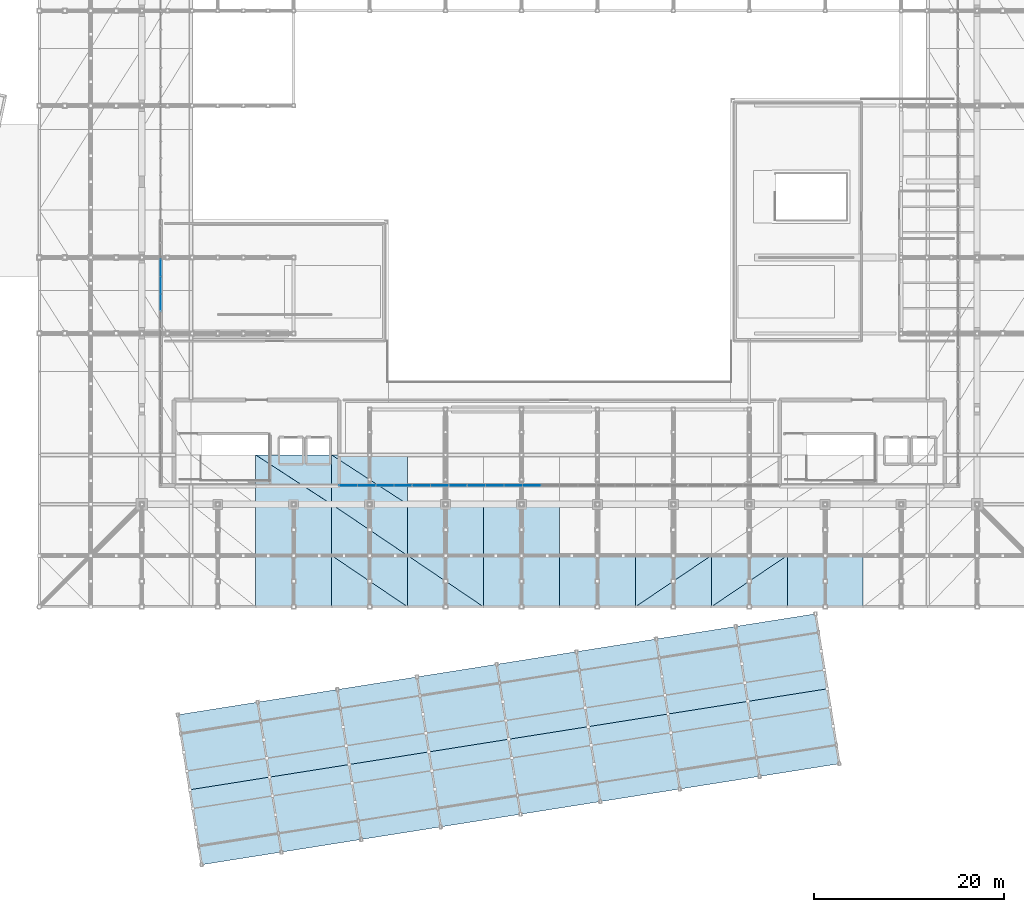
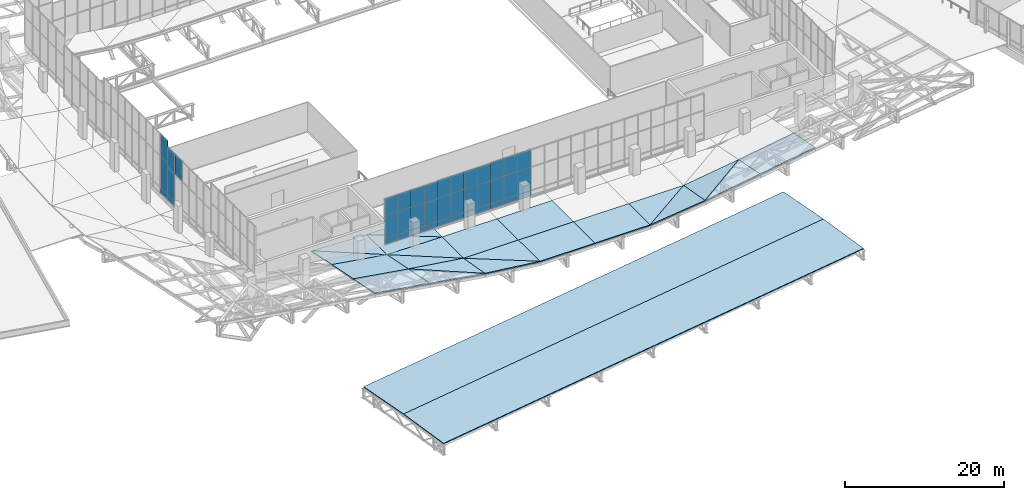
# One storey, part 103 of 137: 40 plates, 23 slabs, 8 elements without a shape of their own.
"""IFC4 building model written with IfcOpenShell, lengths in metres."""

from ifc_helpers import new_model, si_unit, direction, frame, origin, origin_2d, place, context, subcontext, project, spatial, polyline, rectangle, outline, extrude, material, layer, layer_set, type_object, element, aggregate, save


model = new_model("IFC4")

# Units and contexts
model_context = context("Model", 3, precision=1e-05, world=origin(), true_north=direction((0.0, 1.0)))
body_context = subcontext(model_context, "Body", "Model", "MODEL_VIEW")
ifc_project = project(units=[si_unit("LENGTHUNIT", "METRE"), si_unit("AREAUNIT", "SQUARE_METRE"), si_unit("VOLUMEUNIT", "CUBIC_METRE"), si_unit("PLANEANGLEUNIT", "RADIAN"), si_unit("MASSUNIT", "GRAM", prefix="KILO")], contexts=[model_context])

# Site, building, storey
site_placement = place(None, origin())
site = spatial("IfcSite", under=ifc_project, at=site_placement, CompositionType="ELEMENT")
building_placement = place(site_placement, origin())
building = spatial("IfcBuilding", under=site, at=building_placement, Name="Khorjan Park Terminus", CompositionType="ELEMENT")
storey_placement = place(building_placement, frame((0.0, 0.0, 11.4)))
storey = spatial("IfcBuildingStorey", under=building, at=storey_placement, Name="L02", CompositionType="ELEMENT", Elevation=11.4)

# Curtain wall, plates
ifc_material_1 = material(Name="Anodized Bronze Aluminium", Category="aluminium")
ifc_layer_1 = layer(ifc_material_1, 0.22)
ifc_layer_set_1 = layer_set([ifc_layer_1], Name="Anodized Bronze Aluminium")
curtain_wall_type = type_object("IfcCurtainWallType", Name="CW-CONC-CLR", PredefinedType="NOTDEFINED", material=ifc_layer_set_1)
curtain_wall_1_placement = place(storey_placement, origin())
curtain_wall_1 = element("IfcCurtainWall", 1, at=curtain_wall_1_placement, inside=storey, type_object=curtain_wall_type, Name="Unitized curtain wall CW-CL (CW-V2-S-CLR-02)", PredefinedType="NOTDEFINED")
ifc_material_2 = material(Name="Acoustic Laminated Solar Glazing", Category="glass")
ifc_layer_2 = layer(ifc_material_2, 0.036)
ifc_layer_set_2 = layer_set([ifc_layer_2], Name="Acoustic Laminated Solar Glazing")
plate_type_1 = type_object("IfcPlateType", Name="GL-VIS-36", PredefinedType="CURTAIN_PANEL", material=ifc_layer_set_2)
plate_1_placement = place(storey_placement, frame((69.7625, 28.0, 1.8), z_axis=(0.0, 0.0, 1.0), x_axis=(1.0, 0.0, 0.0)))
plate_1 = element("IfcPlate", 2, at=plate_1_placement, type_object=plate_type_1, Name="Curtain-wall panel VP-36 (CW-V2-S-CLR-02-0-2)", PredefinedType="CURTAIN_PANEL", context=body_context, shape_type="SweptSolid", body=[
    extrude(rectangle(XDim=1.925, YDim=0.036, at=origin_2d()), origin(), (0.0, 0.0, 1.0), 3.491),
])
plate_2_placement = place(storey_placement, frame((69.7625, 28.0, 5.291), z_axis=(0.0, 0.0, 1.0), x_axis=(1.0, 0.0, 0.0)))
plate_2 = element("IfcPlate", 3, at=plate_2_placement, type_object=plate_type_1, Name="Curtain-wall panel VP-36 (CW-V2-S-CLR-02-0-3)", PredefinedType="CURTAIN_PANEL", context=body_context, shape_type="SweptSolid", body=[
    extrude(rectangle(XDim=1.925, YDim=0.036, at=origin_2d()), origin(), (0.0, 0.0, 1.0), 2.6706),
])
plate_3_placement = place(storey_placement, frame((71.6875, 28.0, 1.8), z_axis=(0.0, 0.0, 1.0), x_axis=(1.0, 0.0, 0.0)))
plate_3 = element("IfcPlate", 4, at=plate_3_placement, type_object=plate_type_1, Name="Curtain-wall panel VP-36 (CW-V2-S-CLR-02-1-2)", PredefinedType="CURTAIN_PANEL", context=body_context, shape_type="SweptSolid", body=[
    extrude(rectangle(XDim=1.925, YDim=0.036, at=origin_2d()), origin(), (0.0, 0.0, 1.0), 3.491),
])
plate_4_placement = place(storey_placement, frame((71.6875, 28.0, 5.291), z_axis=(0.0, 0.0, 1.0), x_axis=(1.0, 0.0, 0.0)))
plate_4 = element("IfcPlate", 5, at=plate_4_placement, type_object=plate_type_1, Name="Curtain-wall panel VP-36 (CW-V2-S-CLR-02-1-3)", PredefinedType="CURTAIN_PANEL", context=body_context, shape_type="SweptSolid", body=[
    extrude(rectangle(XDim=1.925, YDim=0.036, at=origin_2d()), origin(), (0.0, 0.0, 1.0), 2.6706),
])
plate_5_placement = place(storey_placement, frame((73.6125, 28.0, 1.8), z_axis=(0.0, 0.0, 1.0), x_axis=(1.0, 0.0, 0.0)))
plate_5 = element("IfcPlate", 6, at=plate_5_placement, type_object=plate_type_1, Name="Curtain-wall panel VP-36 (CW-V2-S-CLR-02-2-2)", PredefinedType="CURTAIN_PANEL", context=body_context, shape_type="SweptSolid", body=[
    extrude(rectangle(XDim=1.925, YDim=0.036, at=origin_2d()), origin(), (0.0, 0.0, 1.0), 3.491),
])
plate_6_placement = place(storey_placement, frame((73.6125, 28.0, 5.291), z_axis=(0.0, 0.0, 1.0), x_axis=(1.0, 0.0, 0.0)))
plate_6 = element("IfcPlate", 7, at=plate_6_placement, type_object=plate_type_1, Name="Curtain-wall panel VP-36 (CW-V2-S-CLR-02-2-3)", PredefinedType="CURTAIN_PANEL", context=body_context, shape_type="SweptSolid", body=[
    extrude(rectangle(XDim=1.925, YDim=0.036, at=origin_2d()), origin(), (0.0, 0.0, 1.0), 2.6706),
])
plate_7_placement = place(storey_placement, frame((75.5375, 28.0, 1.8), z_axis=(0.0, 0.0, 1.0), x_axis=(1.0, 0.0, 0.0)))
plate_7 = element("IfcPlate", 8, at=plate_7_placement, type_object=plate_type_1, Name="Curtain-wall panel VP-36 (CW-V2-S-CLR-02-3-2)", PredefinedType="CURTAIN_PANEL", context=body_context, shape_type="SweptSolid", body=[
    extrude(rectangle(XDim=1.925, YDim=0.036, at=origin_2d()), origin(), (0.0, 0.0, 1.0), 3.491),
])
plate_8_placement = place(storey_placement, frame((75.5375, 28.0, 5.291), z_axis=(0.0, 0.0, 1.0), x_axis=(1.0, 0.0, 0.0)))
plate_8 = element("IfcPlate", 9, at=plate_8_placement, type_object=plate_type_1, Name="Curtain-wall panel VP-36 (CW-V2-S-CLR-02-3-3)", PredefinedType="CURTAIN_PANEL", context=body_context, shape_type="SweptSolid", body=[
    extrude(rectangle(XDim=1.925, YDim=0.036, at=origin_2d()), origin(), (0.0, 0.0, 1.0), 2.6706),
])

curtain_wall_2_placement = place(storey_placement, origin())
curtain_wall_2 = element("IfcCurtainWall", 10, at=curtain_wall_2_placement, inside=storey, type_object=curtain_wall_type, Name="Unitized curtain wall CW-CL (CW-V2-S-CLR-03)", PredefinedType="NOTDEFINED")
plate_9_placement = place(storey_placement, frame((77.4625, 28.0, 1.8), z_axis=(0.0, 0.0, 1.0), x_axis=(1.0, 0.0, 0.0)))
plate_9 = element("IfcPlate", 11, at=plate_9_placement, type_object=plate_type_1, Name="Curtain-wall panel VP-36 (CW-V2-S-CLR-03-0-2)", PredefinedType="CURTAIN_PANEL", context=body_context, shape_type="SweptSolid", body=[
    extrude(rectangle(XDim=1.925, YDim=0.036, at=origin_2d()), origin(), (0.0, 0.0, 1.0), 3.5354),
])
plate_10_placement = place(storey_placement, frame((77.4625, 28.0, 5.3354), z_axis=(0.0, 0.0, 1.0), x_axis=(1.0, 0.0, 0.0)))
plate_10 = element("IfcPlate", 12, at=plate_10_placement, type_object=plate_type_1, Name="Curtain-wall panel VP-36 (CW-V2-S-CLR-03-0-3)", PredefinedType="CURTAIN_PANEL", context=body_context, shape_type="SweptSolid", body=[
    extrude(rectangle(XDim=1.925, YDim=0.036, at=origin_2d()), origin(), (0.0, 0.0, 1.0), 2.6978),
])
plate_11_placement = place(storey_placement, frame((79.3875, 28.0, 1.8), z_axis=(0.0, 0.0, 1.0), x_axis=(1.0, 0.0, 0.0)))
plate_11 = element("IfcPlate", 13, at=plate_11_placement, type_object=plate_type_1, Name="Curtain-wall panel VP-36 (CW-V2-S-CLR-03-1-2)", PredefinedType="CURTAIN_PANEL", context=body_context, shape_type="SweptSolid", body=[
    extrude(rectangle(XDim=1.925, YDim=0.036, at=origin_2d()), origin(), (0.0, 0.0, 1.0), 3.5354),
])
plate_12_placement = place(storey_placement, frame((79.3875, 28.0, 5.3354), z_axis=(0.0, 0.0, 1.0), x_axis=(1.0, 0.0, 0.0)))
plate_12 = element("IfcPlate", 14, at=plate_12_placement, type_object=plate_type_1, Name="Curtain-wall panel VP-36 (CW-V2-S-CLR-03-1-3)", PredefinedType="CURTAIN_PANEL", context=body_context, shape_type="SweptSolid", body=[
    extrude(rectangle(XDim=1.925, YDim=0.036, at=origin_2d()), origin(), (0.0, 0.0, 1.0), 2.6978),
])
plate_13_placement = place(storey_placement, frame((81.3125, 28.0, 1.8), z_axis=(0.0, 0.0, 1.0), x_axis=(1.0, 0.0, 0.0)))
plate_13 = element("IfcPlate", 15, at=plate_13_placement, type_object=plate_type_1, Name="Curtain-wall panel VP-36 (CW-V2-S-CLR-03-2-2)", PredefinedType="CURTAIN_PANEL", context=body_context, shape_type="SweptSolid", body=[
    extrude(rectangle(XDim=1.925, YDim=0.036, at=origin_2d()), origin(), (0.0, 0.0, 1.0), 3.5354),
])
plate_14_placement = place(storey_placement, frame((81.3125, 28.0, 5.3354), z_axis=(0.0, 0.0, 1.0), x_axis=(1.0, 0.0, 0.0)))
plate_14 = element("IfcPlate", 16, at=plate_14_placement, type_object=plate_type_1, Name="Curtain-wall panel VP-36 (CW-V2-S-CLR-03-2-3)", PredefinedType="CURTAIN_PANEL", context=body_context, shape_type="SweptSolid", body=[
    extrude(rectangle(XDim=1.925, YDim=0.036, at=origin_2d()), origin(), (0.0, 0.0, 1.0), 2.6978),
])
plate_15_placement = place(storey_placement, frame((83.2375, 28.0, 1.8), z_axis=(0.0, 0.0, 1.0), x_axis=(1.0, 0.0, 0.0)))
plate_15 = element("IfcPlate", 17, at=plate_15_placement, type_object=plate_type_1, Name="Curtain-wall panel VP-36 (CW-V2-S-CLR-03-3-2)", PredefinedType="CURTAIN_PANEL", context=body_context, shape_type="SweptSolid", body=[
    extrude(rectangle(XDim=1.925, YDim=0.036, at=origin_2d()), origin(), (0.0, 0.0, 1.0), 3.5354),
])
plate_16_placement = place(storey_placement, frame((83.2375, 28.0, 5.3354), z_axis=(0.0, 0.0, 1.0), x_axis=(1.0, 0.0, 0.0)))
plate_16 = element("IfcPlate", 18, at=plate_16_placement, type_object=plate_type_1, Name="Curtain-wall panel VP-36 (CW-V2-S-CLR-03-3-3)", PredefinedType="CURTAIN_PANEL", context=body_context, shape_type="SweptSolid", body=[
    extrude(rectangle(XDim=1.925, YDim=0.036, at=origin_2d()), origin(), (0.0, 0.0, 1.0), 2.6978),
])

curtain_wall_3_placement = place(storey_placement, origin())
curtain_wall_3 = element("IfcCurtainWall", 19, at=curtain_wall_3_placement, inside=storey, type_object=curtain_wall_type, Name="Unitized curtain wall CW-CL (CW-V2-S-CLR-04)", PredefinedType="NOTDEFINED")
plate_17_placement = place(storey_placement, frame((85.175, 28.0, 1.7999), z_axis=(0.0, 0.0, 1.0), x_axis=(1.0, 0.0, 0.0)))
plate_17 = element("IfcPlate", 20, at=plate_17_placement, type_object=plate_type_1, Name="Curtain-wall panel VP-36 (CW-V2-S-CLR-04-0-2)", PredefinedType="CURTAIN_PANEL", context=body_context, shape_type="SweptSolid", body=[
    extrude(rectangle(XDim=1.95, YDim=0.036, at=origin_2d()), origin(), (0.0, 0.0, 1.0), 3.5839),
])
plate_18_placement = place(storey_placement, frame((85.175, 28.0, 5.3839), z_axis=(0.0, 0.0, 1.0), x_axis=(1.0, 0.0, 0.0)))
plate_18 = element("IfcPlate", 21, at=plate_18_placement, type_object=plate_type_1, Name="Curtain-wall panel VP-36 (CW-V2-S-CLR-04-0-3)", PredefinedType="CURTAIN_PANEL", context=body_context, shape_type="SweptSolid", body=[
    extrude(rectangle(XDim=1.95, YDim=0.036, at=origin_2d()), origin(), (0.0, 0.0, 1.0), 2.7276),
])
plate_19_placement = place(storey_placement, frame((87.125, 28.0, 1.7999), z_axis=(0.0, 0.0, 1.0), x_axis=(1.0, 0.0, 0.0)))
plate_19 = element("IfcPlate", 22, at=plate_19_placement, type_object=plate_type_1, Name="Curtain-wall panel VP-36 (CW-V2-S-CLR-04-1-2)", PredefinedType="CURTAIN_PANEL", context=body_context, shape_type="SweptSolid", body=[
    extrude(rectangle(XDim=1.95, YDim=0.036, at=origin_2d()), origin(), (0.0, 0.0, 1.0), 3.5839),
])
plate_20_placement = place(storey_placement, frame((87.125, 28.0, 5.3839), z_axis=(0.0, 0.0, 1.0), x_axis=(1.0, 0.0, 0.0)))
plate_20 = element("IfcPlate", 23, at=plate_20_placement, type_object=plate_type_1, Name="Curtain-wall panel VP-36 (CW-V2-S-CLR-04-1-3)", PredefinedType="CURTAIN_PANEL", context=body_context, shape_type="SweptSolid", body=[
    extrude(rectangle(XDim=1.95, YDim=0.036, at=origin_2d()), origin(), (0.0, 0.0, 1.0), 2.7276),
])
plate_21_placement = place(storey_placement, frame((89.075, 28.0, 1.7999), z_axis=(0.0, 0.0, 1.0), x_axis=(1.0, 0.0, 0.0)))
plate_21 = element("IfcPlate", 24, at=plate_21_placement, type_object=plate_type_1, Name="Curtain-wall panel VP-36 (CW-V2-S-CLR-04-2-2)", PredefinedType="CURTAIN_PANEL", context=body_context, shape_type="SweptSolid", body=[
    extrude(rectangle(XDim=1.95, YDim=0.036, at=origin_2d()), origin(), (0.0, 0.0, 1.0), 3.5839),
])
plate_22_placement = place(storey_placement, frame((89.075, 28.0, 5.3839), z_axis=(0.0, 0.0, 1.0), x_axis=(1.0, 0.0, 0.0)))
plate_22 = element("IfcPlate", 25, at=plate_22_placement, type_object=plate_type_1, Name="Curtain-wall panel VP-36 (CW-V2-S-CLR-04-2-3)", PredefinedType="CURTAIN_PANEL", context=body_context, shape_type="SweptSolid", body=[
    extrude(rectangle(XDim=1.95, YDim=0.036, at=origin_2d()), origin(), (0.0, 0.0, 1.0), 2.7276),
])

curtain_wall_4_placement = place(storey_placement, origin())
curtain_wall_4 = element("IfcCurtainWall", 26, at=curtain_wall_4_placement, inside=storey, type_object=curtain_wall_type, Name="Unitized curtain wall CW-CL (CW-V2-W-CLR-02)", PredefinedType="NOTDEFINED")
plate_23_placement = place(storey_placement, frame((50.0, 49.0833, 1.8), z_axis=(0.0, 0.0, 1.0), x_axis=(0.0, -1.0, 0.0)))
plate_23 = element("IfcPlate", 27, at=plate_23_placement, type_object=plate_type_1, Name="Curtain-wall panel VP-36 (CW-V2-W-CLR-02-0-2)", PredefinedType="CURTAIN_PANEL", context=body_context, shape_type="SweptSolid", body=[
    extrude(rectangle(XDim=1.8333, YDim=0.036, at=origin_2d()), origin(), (0.0, 0.0, 1.0), 4.2512),
])
plate_24_placement = place(storey_placement, frame((50.0, 49.0833, 6.0512), z_axis=(0.0, 0.0, 1.0), x_axis=(0.0, -1.0, 0.0)))
plate_24 = element("IfcPlate", 28, at=plate_24_placement, type_object=plate_type_1, Name="Curtain-wall panel VP-36 (CW-V2-W-CLR-02-0-3)", PredefinedType="CURTAIN_PANEL", context=body_context, shape_type="SweptSolid", body=[
    extrude(rectangle(XDim=1.8333, YDim=0.036, at=origin_2d()), origin(), (0.0, 0.0, 1.0), 3.1366),
])
plate_25_placement = place(storey_placement, frame((50.0, 47.25, 6.0512), z_axis=(0.0, 0.0, 1.0), x_axis=(0.0, -1.0, 0.0)))
plate_25 = element("IfcPlate", 29, at=plate_25_placement, type_object=plate_type_1, Name="Curtain-wall panel VP-36 (CW-V2-W-CLR-02-1-3)", PredefinedType="CURTAIN_PANEL", context=body_context, shape_type="SweptSolid", body=[
    extrude(rectangle(XDim=1.8333, YDim=0.036, at=origin_2d()), origin(), (0.0, 0.0, 1.0), 3.1366),
])

curtain_wall_5_placement = place(storey_placement, origin())
curtain_wall_5 = element("IfcCurtainWall", 30, at=curtain_wall_5_placement, inside=storey, type_object=curtain_wall_type, Name="Unitized curtain wall CW-CL (CW-V2-W-CLR-03)", PredefinedType="NOTDEFINED")
plate_26_placement = place(storey_placement, frame((50.0, 50.8889, 1.8), z_axis=(0.0, 0.0, 1.0), x_axis=(0.0, -1.0, 0.0)))
plate_26 = element("IfcPlate", 31, at=plate_26_placement, type_object=plate_type_1, Name="Curtain-wall panel VP-36 (CW-V2-W-CLR-03-8-2)", PredefinedType="CURTAIN_PANEL", context=body_context, shape_type="SweptSolid", body=[
    extrude(rectangle(XDim=1.7778, YDim=0.036, at=origin_2d()), origin(), (0.0, 0.0, 1.0), 4.848),
])
plate_27_placement = place(storey_placement, frame((50.0, 50.8889, 6.648), z_axis=(0.0, 0.0, 1.0), x_axis=(0.0, -1.0, 0.0)))
plate_27 = element("IfcPlate", 32, at=plate_27_placement, type_object=plate_type_1, Name="Curtain-wall panel VP-36 (CW-V2-W-CLR-03-8-3)", PredefinedType="CURTAIN_PANEL", context=body_context, shape_type="SweptSolid", body=[
    extrude(rectangle(XDim=1.7778, YDim=0.036, at=origin_2d()), origin(), (0.0, 0.0, 1.0), 3.5024),
])

# Roof, slabs
ifc_material_3 = material(Name="Concrete C40/50", Category="concrete")
ifc_layer_3 = layer(ifc_material_3, 0.16)
ifc_layer_set_3 = layer_set([ifc_layer_3], Name="Concrete C40/50")
roof_type_1 = type_object("IfcRoofType", Name="RF-FLAT-SIDE", PredefinedType="FLAT_ROOF", material=ifc_layer_set_3)
roof_1_placement = place(storey_placement, origin())
roof_1 = element("IfcRoof", 33, at=roof_1_placement, inside=storey, type_object=roof_type_1, Name="Forecourt arrival flat space-truss canopy roof RF-SD1", PredefinedType="FLAT_ROOF")
ifc_layer_4 = layer(ifc_material_3, 0.14)
ifc_layer_set_4 = layer_set([ifc_layer_4], Name="Concrete C40/50")
slab_type_1 = type_object("IfcSlabType", Name="SL-ROOF-140", PredefinedType="ROOF", material=ifc_layer_set_4)
slab_1_placement = place(storey_placement, frame((54.3129, -11.9754, -0.32), z_axis=(0.00312808136, -0.019749821648, 0.999800059838), x_axis=(0.987688209918, 0.156435290099, 0.0)))
slab_1 = element("IfcSlab", 34, at=slab_1_placement, type_object=slab_type_1, Name="Arrival canopy crisp flat roof slab RS-14 (S)", PredefinedType="ROOF", context=body_context, shape_type="SweptSolid", body=[
    extrude(outline(polyline([(0.0, 0.0), (68.00000174705882, -1.7763568394002505e-15), (67.99998339705927, 8.001596996829024), (-1.8349999528321642e-05, 8.001596996829026), (0.0, 0.0)])), origin(), (0.0, 0.0, -1.0), 0.14),
])
slab_2_placement = place(storey_placement, frame((53.0614, -4.0739, -0.16), z_axis=(-0.00312808136, 0.019749821648, 0.999800059838), x_axis=(0.987688209918, 0.156435290099, 0.0)))
slab_2 = element("IfcSlab", 35, at=slab_2_placement, type_object=slab_type_1, Name="Arrival canopy crisp flat roof slab RS-14 (N)", PredefinedType="ROOF", context=body_context, shape_type="SweptSolid", body=[
    extrude(outline(polyline([(0.0, 0.0), (68.00000174705882, -1.7763568394002505e-15), (67.99998339705928, 8.00159699682902), (-1.834999952854785e-05, 8.001596996829026), (0.0, 0.0)])), origin(), (0.0, 0.0, -1.0), 0.14),
])
aggregate(roof_1, [slab_1, slab_2])

ifc_material_4 = material(Name="Concrete C50/60", Category="concrete")
ifc_layer_5 = layer(ifc_material_4, 0.16)
ifc_layer_set_5 = layer_set([ifc_layer_5], Name="Concrete C50/60")
roof_type_2 = type_object("IfcRoofType", Name="RF-SHELL-LOWER", PredefinedType="FREEFORM", material=ifc_layer_set_5)
roof_2_placement = place(storey_placement, origin())
roof_2 = element("IfcRoof", 36, at=roof_2_placement, inside=storey, type_object=roof_type_2, Name="Lower 4-sided wrapping folded concrete shell roof RF-CS2 (2)", PredefinedType="FREEFORM")
ifc_layer_6 = layer(ifc_material_4, 0.16)
ifc_layer_set_6 = layer_set([ifc_layer_6], Name="Concrete C50/60")
slab_type_2 = type_object("IfcSlabType", Name="SL-SHL-160", PredefinedType="ROOF", material=ifc_layer_set_6)
slab_3_placement = place(storey_placement, frame((60.0, 15.2, 4.3059), z_axis=(0.155240628983, 0.194255938796, 0.96858916851), x_axis=(0.987398235344, 0.0, -0.15825525217)))
slab_3 = element("IfcSlab", 37, at=slab_3_placement, type_object=slab_type_2, Name="Lower 4-sided wrapping folded concrete shell facet RS-16 (69)", PredefinedType="ROOF", context=body_context, shape_type="SweptSolid", body=[
    extrude(outline(polyline([(0.0, 0.0), (8.102100767085041, 0.0), (8.27349120518491, 5.504862788274378), (0.17139043809987023, 5.504862788274378), (0.0, 0.0)])), origin(), (0.0, 0.0, -1.0), 0.16),
])
slab_4_placement = place(storey_placement, frame((60.0, 20.6, 3.2229), z_axis=(0.155240628983, 0.194255938796, 0.96858916851), x_axis=(0.987398235344, 0.0, -0.15825525217)))
slab_4 = element("IfcSlab", 38, at=slab_4_placement, type_object=slab_type_2, Name="Lower 4-sided wrapping folded concrete shell facet RS-16 (70)", PredefinedType="ROOF", context=body_context, shape_type="SweptSolid", body=[
    extrude(outline(polyline([(0.0, 0.0), (8.102100767085041, 0.0), (8.27349120518491, 5.504862788274375), (0.17139043809987023, 5.504862788274375), (0.0, 0.0)])), origin(), (0.0, 0.0, -1.0), 0.16),
])
slab_5_placement = place(storey_placement, frame((60.0, 26.0, 2.1399), z_axis=(0.15524056657, 0.194257930331, 0.968588779098), x_axis=(0.987398235344, 0.0, -0.15825525217)))
slab_5 = element("IfcSlab", 39, at=slab_5_placement, type_object=slab_type_2, Name="Lower 4-sided wrapping folded concrete shell facet RS-16 (71)", PredefinedType="ROOF", context=body_context, shape_type="SweptSolid", body=[
    extrude(outline(polyline([(0.0, 0.0), (8.102100767085041, 0.0), (0.165044402487862, 5.300981112511854), (0.0, 0.0)])), origin(), (0.0, 0.0, -1.0), 0.16),
])
slab_6_placement = place(storey_placement, frame((68.0, 26.0, 0.8577), z_axis=(0.039589515723, 0.014928926822, 0.999104497732), x_axis=(0.0, 0.999888382411, -0.014940639868)))
slab_6 = element("IfcSlab", 40, at=slab_6_placement, type_object=slab_type_2, Name="Lower 4-sided wrapping folded concrete shell facet RS-16 (72)", PredefinedType="ROOF", context=body_context, shape_type="SweptSolid", body=[
    extrude(outline(polyline([(0.0, 0.0), (5.200580476254549, -4.336808689942018e-19), (5.1958442934164095, 8.006276698226968), (0.0, 0.0)])), origin(), (0.0, 0.0, -1.0), 0.16),
])
slab_7_placement = place(storey_placement, frame((68.0, 15.2, 3.0237), z_axis=(0.155228813368, 0.194256303897, 0.968590988961), x_axis=(0.987400163922, 0.0, -0.158243218771)))
slab_7 = element("IfcSlab", 41, at=slab_7_placement, type_object=slab_type_2, Name="Lower 4-sided wrapping folded concrete shell facet RS-16 (77)", PredefinedType="ROOF", context=body_context, shape_type="SweptSolid", body=[
    extrude(outline(polyline([(0.0, 0.0), (8.102084942161493, -2.7755575615628914e-17), (0.17137740592850031, 5.50486319400739), (0.0, 0.0)])), origin(), (0.0, 0.0, -1.0), 0.16),
])
slab_8_placement = place(storey_placement, frame((76.0, 15.2, 1.7416), z_axis=(0.141405126056, 0.173554488786, 0.974619633368), x_axis=(0.0, 0.98451219689, -0.175316097876)))
slab_8 = element("IfcSlab", 42, at=slab_8_placement, type_object=slab_type_2, Name="Lower 4-sided wrapping folded concrete shell facet RS-16 (78)", PredefinedType="ROOF", context=body_context, shape_type="SweptSolid", body=[
    extrude(outline(polyline([(0.0, 0.0), (5.4849498229245475, 0.0), (5.281460428120041, 8.08120143024551), (0.0, 0.0)])), origin(), (0.0, 0.0, -1.0), 0.16),
])
slab_9_placement = place(storey_placement, frame((68.0, 20.6, 1.9407), z_axis=(0.140836900099, 0.19467991896, 0.97070319703), x_axis=(0.989638115901, 0.0, -0.143584120141)))
slab_9 = element("IfcSlab", 43, at=slab_9_placement, type_object=slab_type_2, Name="Lower 4-sided wrapping folded concrete shell facet RS-16 (79)", PredefinedType="ROOF", context=body_context, shape_type="SweptSolid", body=[
    extrude(outline(polyline([(0.0, 0.0), (8.083763015452643, -2.7755575615628914e-17), (0.15550160211241842, 5.505334526778592), (0.0, 0.0)])), origin(), (0.0, 0.0, -1.0), 0.16),
])
slab_10_placement = place(storey_placement, frame((76.0, 20.6, 0.78), z_axis=(0.009712041929, 0.0, 0.999952837009), x_axis=(0.0, 1.0, 0.0)))
slab_10 = element("IfcSlab", 44, at=slab_10_placement, type_object=slab_type_2, Name="Lower 4-sided wrapping folded concrete shell facet RS-16 (80)", PredefinedType="ROOF", context=body_context, shape_type="SweptSolid", body=[
    extrude(outline(polyline([(0.0, 0.0), (5.399999999999999, 0.0), (5.399999999999999, 8.00037732172677), (0.0, 0.0)])), origin(), (0.0, 0.0, -1.0), 0.16),
])
slab_11_placement = place(storey_placement, frame((68.0, 26.0, 0.8577), z_axis=(0.009710957997, 0.01493993538, 0.99984123521), x_axis=(0.999952837009, 0.0, -0.009712041929)))
slab_11 = element("IfcSlab", 45, at=slab_11_placement, type_object=slab_type_2, Name="Lower 4-sided wrapping folded concrete shell facet RS-16 (81)", PredefinedType="ROOF", context=body_context, shape_type="SweptSolid", body=[
    extrude(outline(polyline([(0.0, 0.0), (8.00037732172677, -2.168404344971009e-19), (0.0007546256579179634, 5.2005804215049025), (0.0, 0.0)])), origin(), (0.0, 0.0, -1.0), 0.16),
])
slab_12_placement = place(storey_placement, frame((76.0, 26.0, 0.78), z_axis=(0.0, 0.0, 1.0), x_axis=(0.0, 1.0, 0.0)))
slab_12 = element("IfcSlab", 46, at=slab_12_placement, type_object=slab_type_2, Name="Lower 4-sided wrapping folded concrete shell facet RS-16 (82)", PredefinedType="ROOF", context=body_context, shape_type="SweptSolid", body=[
    extrude(outline(polyline([(0.0, 0.0), (5.199999999999999, 0.0), (5.199999999999999, 8.0), (0.0, 0.0)])), origin(), (0.0, 0.0, -1.0), 0.16),
])
slab_13_placement = place(storey_placement, frame((76.0, 15.2, 1.7416), z_axis=(0.117518365138, 0.174101281686, 0.977690225772), x_axis=(0.992853328969, 0.0, -0.119340970142)))
slab_13 = element("IfcSlab", 47, at=slab_13_placement, type_object=slab_type_2, Name="Lower 4-sided wrapping folded concrete shell facet RS-16 (89)", PredefinedType="ROOF", context=body_context, shape_type="SweptSolid", body=[
    extrude(outline(polyline([(0.0, 0.0), (8.057584908643532, -2.7755575615628914e-17), (0.11475827688865983, 5.483749182620004), (0.0, 0.0)])), origin(), (0.0, 0.0, -1.0), 0.16),
])
slab_14_placement = place(storey_placement, frame((84.0, 15.2, 0.78), z_axis=(0.0, 0.0, 1.0), x_axis=(0.0, 1.0, 0.0)))
slab_14 = element("IfcSlab", 48, at=slab_14_placement, type_object=slab_type_2, Name="Lower 4-sided wrapping folded concrete shell facet RS-16 (90)", PredefinedType="ROOF", context=body_context, shape_type="SweptSolid", body=[
    extrude(outline(polyline([(0.0, 0.0), (5.400000000000002, 0.0), (5.400000000000002, 8.0), (0.0, 0.0)])), origin(), (0.0, 0.0, -1.0), 0.16),
])
slab_15_placement = place(storey_placement, frame((76.0, 20.6, 0.78), z_axis=(0.0, 0.0, 1.0), x_axis=(1.0, 0.0, 0.0)))
slab_15 = element("IfcSlab", 49, at=slab_15_placement, type_object=slab_type_2, Name="Lower 4-sided wrapping folded concrete shell facet RS-16 (91)", PredefinedType="ROOF", context=body_context, shape_type="SweptSolid", body=[
    extrude(outline(polyline([(0.0, 0.0), (8.0, 0.0), (8.0, 5.399999999999999), (0.0, 5.399999999999999), (0.0, 0.0)])), origin(), (0.0, 0.0, -1.0), 0.16),
])
slab_16_placement = place(storey_placement, frame((84.0, 15.2, 0.78), z_axis=(0.0, 0.0, 1.0), x_axis=(1.0, 0.0, 0.0)))
slab_16 = element("IfcSlab", 50, at=slab_16_placement, type_object=slab_type_2, Name="Lower 4-sided wrapping folded concrete shell facet RS-16 (97)", PredefinedType="ROOF", context=body_context, shape_type="SweptSolid", body=[
    extrude(outline(polyline([(0.0, 0.0), (8.0, 0.0), (8.0, 5.400000000000002), (0.0, 5.400000000000002), (0.0, 0.0)])), origin(), (0.0, 0.0, -1.0), 0.16),
])
slab_17_placement = place(storey_placement, frame((84.0, 20.6, 0.78), z_axis=(0.0, 0.0, 1.0), x_axis=(1.0, 0.0, 0.0)))
slab_17 = element("IfcSlab", 51, at=slab_17_placement, type_object=slab_type_2, Name="Lower 4-sided wrapping folded concrete shell facet RS-16 (98)", PredefinedType="ROOF", context=body_context, shape_type="SweptSolid", body=[
    extrude(outline(polyline([(0.0, 0.0), (8.0, 0.0), (8.0, 5.399999999999999), (0.0, 5.399999999999999), (0.0, 0.0)])), origin(), (0.0, 0.0, -1.0), 0.16),
])
aggregate(roof_2, [slab_3, slab_4, slab_5, slab_6, slab_7, slab_8, slab_9, slab_10, slab_11, slab_12, slab_13, slab_14, slab_15, slab_16, slab_17])

roof_3_placement = place(storey_placement, origin())
roof_3 = element("IfcRoof", 52, at=roof_3_placement, inside=storey, type_object=roof_type_2, Name="Lower 4-sided wrapping folded concrete shell roof RF-CS2 (3)", PredefinedType="FREEFORM")
slab_18_placement = place(storey_placement, frame((92.0, 15.2, 0.78), z_axis=(0.0, 0.0, 1.0), x_axis=(1.0, 0.0, 0.0)))
slab_18 = element("IfcSlab", 53, at=slab_18_placement, type_object=slab_type_2, Name="Lower 4-sided wrapping folded concrete shell facet RS-16 (103)", PredefinedType="ROOF", context=body_context, shape_type="SweptSolid", body=[
    extrude(outline(polyline([(0.0, 0.0), (8.0, 0.0), (8.0, 5.400000000000002), (0.0, 5.400000000000002), (0.0, 0.0)])), origin(), (0.0, 0.0, -1.0), 0.16),
])
slab_19_placement = place(storey_placement, frame((100.0, 15.2, 0.78), z_axis=(-0.117518365138, 0.174101281686, 0.977690225772), x_axis=(0.992853328969, 0.0, 0.119340970142)))
slab_19 = element("IfcSlab", 54, at=slab_19_placement, type_object=slab_type_2, Name="Lower 4-sided wrapping folded concrete shell facet RS-16 (109)", PredefinedType="ROOF", context=body_context, shape_type="SweptSolid", body=[
    extrude(outline(polyline([(0.0, 0.0), (8.057584908643532, 2.7755575615628914e-17), (7.942826631754873, 5.483749182620004), (0.0, 0.0)])), origin(), (0.0, 0.0, -1.0), 0.16),
])
slab_20_placement = place(storey_placement, frame((100.0, 15.2, 0.78), z_axis=(0.0, 0.0, 1.0), x_axis=(0.828848674076, 0.559472855001, 0.0)))
slab_20 = element("IfcSlab", 55, at=slab_20_placement, type_object=slab_type_2, Name="Lower 4-sided wrapping folded concrete shell facet RS-16 (110)", PredefinedType="ROOF", context=body_context, shape_type="SweptSolid", body=[
    extrude(outline(polyline([(0.0, 0.0), (9.651942809610924, 0.0), (3.0211534170057397, 4.475782840008502), (0.0, 0.0)])), origin(), (0.0, 0.0, -1.0), 0.16),
])
slab_21_placement = place(storey_placement, frame((108.0, 15.2, 1.7416), z_axis=(-0.155228813368, 0.194256303897, 0.968590988961), x_axis=(0.987400163922, 0.0, 0.158243218771)))
slab_21 = element("IfcSlab", 56, at=slab_21_placement, type_object=slab_type_2, Name="Lower 4-sided wrapping folded concrete shell facet RS-16 (117)", PredefinedType="ROOF", context=body_context, shape_type="SweptSolid", body=[
    extrude(outline(polyline([(0.0, 0.0), (8.102084942161493, -2.7755575615628914e-17), (7.930707536232993, 5.504863194007391), (0.0, 0.0)])), origin(), (0.0, 0.0, -1.0), 0.16),
])
slab_22_placement = place(storey_placement, frame((108.0, 15.2, 1.7416), z_axis=(-0.141405126056, 0.173554488786, 0.974619633368), x_axis=(0.828672387306, 0.559353861431, 0.020623584039)))
slab_22 = element("IfcSlab", 57, at=slab_22_placement, type_object=slab_type_2, Name="Lower 4-sided wrapping folded concrete shell facet RS-16 (118)", PredefinedType="ROOF", context=body_context, shape_type="SweptSolid", body=[
    extrude(outline(polyline([(0.0, 0.0), (9.653996105758488, 0.0), (3.0006792133177527, 4.59136132522401), (0.0, 0.0)])), origin(), (0.0, 0.0, -1.0), 0.16),
])
slab_23_placement = place(storey_placement, frame((116.0, 15.2, 3.0237), z_axis=(-0.155240628983, 0.194255938796, 0.96858916851), x_axis=(0.987398235344, 0.0, 0.15825525217)))
slab_23 = element("IfcSlab", 58, at=slab_23_placement, type_object=slab_type_2, Name="Lower 4-sided wrapping folded concrete shell facet RS-16 (129)", PredefinedType="ROOF", context=body_context, shape_type="SweptSolid", body=[
    extrude(outline(polyline([(0.0, 0.0), (8.102100767085041, 0.0), (7.930710328985171, 5.5048627882743775), (-0.17139043809987023, 5.504862788274378), (0.0, 0.0)])), origin(), (0.0, 0.0, -1.0), 0.16),
])
aggregate(roof_3, [slab_18, slab_19, slab_20, slab_21, slab_22, slab_23])

# Plate
ifc_material_5 = material(Name="Insulated Anodized Bronze Spandrel Panel")
ifc_layer_7 = layer(ifc_material_5, 0.045)
ifc_layer_set_7 = layer_set([ifc_layer_7], Name="Insulated Anodized Bronze Spandrel Panel")
plate_type_2 = type_object("IfcPlateType", Name="SP-AL-45", PredefinedType="CURTAIN_PANEL", material=ifc_layer_set_7)
plate_28_placement = place(storey_placement, frame((69.7625, 28.0, 0.94), z_axis=(0.0, 0.0, 1.0), x_axis=(1.0, 0.0, 0.0)))
plate_28 = element("IfcPlate", 59, at=plate_28_placement, type_object=plate_type_2, Name="Curtain-wall panel SP-A45 (CW-V2-S-CLR-02-0-1)", PredefinedType="CURTAIN_PANEL", context=body_context, shape_type="SweptSolid", body=[
    extrude(rectangle(XDim=1.925, YDim=0.045, at=origin_2d()), origin(), (0.0, 0.0, 1.0), 0.86),
])

plate_29_placement = place(storey_placement, frame((71.6875, 28.0, 0.94), z_axis=(0.0, 0.0, 1.0), x_axis=(1.0, 0.0, 0.0)))
plate_29 = element("IfcPlate", 60, at=plate_29_placement, type_object=plate_type_2, Name="Curtain-wall panel SP-A45 (CW-V2-S-CLR-02-1-1)", PredefinedType="CURTAIN_PANEL", context=body_context, shape_type="SweptSolid", body=[
    extrude(rectangle(XDim=1.925, YDim=0.045, at=origin_2d()), origin(), (0.0, 0.0, 1.0), 0.86),
])

plate_30_placement = place(storey_placement, frame((73.6125, 28.0, 0.94), z_axis=(0.0, 0.0, 1.0), x_axis=(1.0, 0.0, 0.0)))
plate_30 = element("IfcPlate", 61, at=plate_30_placement, type_object=plate_type_2, Name="Curtain-wall panel SP-A45 (CW-V2-S-CLR-02-2-1)", PredefinedType="CURTAIN_PANEL", context=body_context, shape_type="SweptSolid", body=[
    extrude(rectangle(XDim=1.925, YDim=0.045, at=origin_2d()), origin(), (0.0, 0.0, 1.0), 0.86),
])

plate_31_placement = place(storey_placement, frame((75.5375, 28.0, 0.94), z_axis=(0.0, 0.0, 1.0), x_axis=(1.0, 0.0, 0.0)))
plate_31 = element("IfcPlate", 62, at=plate_31_placement, type_object=plate_type_2, Name="Curtain-wall panel SP-A45 (CW-V2-S-CLR-02-3-1)", PredefinedType="CURTAIN_PANEL", context=body_context, shape_type="SweptSolid", body=[
    extrude(rectangle(XDim=1.925, YDim=0.045, at=origin_2d()), origin(), (0.0, 0.0, 1.0), 0.86),
])

aggregate(curtain_wall_1, [plate_28, plate_1, plate_2, plate_29, plate_3, plate_4, plate_30, plate_5, plate_6, plate_31, plate_7, plate_8])

plate_32_placement = place(storey_placement, frame((77.4625, 28.0, 0.94), z_axis=(0.0, 0.0, 1.0), x_axis=(1.0, 0.0, 0.0)))
plate_32 = element("IfcPlate", 63, at=plate_32_placement, type_object=plate_type_2, Name="Curtain-wall panel SP-A45 (CW-V2-S-CLR-03-0-1)", PredefinedType="CURTAIN_PANEL", context=body_context, shape_type="SweptSolid", body=[
    extrude(rectangle(XDim=1.925, YDim=0.045, at=origin_2d()), origin(), (0.0, 0.0, 1.0), 0.86),
])

plate_33_placement = place(storey_placement, frame((79.3875, 28.0, 0.94), z_axis=(0.0, 0.0, 1.0), x_axis=(1.0, 0.0, 0.0)))
plate_33 = element("IfcPlate", 64, at=plate_33_placement, type_object=plate_type_2, Name="Curtain-wall panel SP-A45 (CW-V2-S-CLR-03-1-1)", PredefinedType="CURTAIN_PANEL", context=body_context, shape_type="SweptSolid", body=[
    extrude(rectangle(XDim=1.925, YDim=0.045, at=origin_2d()), origin(), (0.0, 0.0, 1.0), 0.86),
])

plate_34_placement = place(storey_placement, frame((81.3125, 28.0, 0.94), z_axis=(0.0, 0.0, 1.0), x_axis=(1.0, 0.0, 0.0)))
plate_34 = element("IfcPlate", 65, at=plate_34_placement, type_object=plate_type_2, Name="Curtain-wall panel SP-A45 (CW-V2-S-CLR-03-2-1)", PredefinedType="CURTAIN_PANEL", context=body_context, shape_type="SweptSolid", body=[
    extrude(rectangle(XDim=1.925, YDim=0.045, at=origin_2d()), origin(), (0.0, 0.0, 1.0), 0.86),
])

plate_35_placement = place(storey_placement, frame((83.2375, 28.0, 0.94), z_axis=(0.0, 0.0, 1.0), x_axis=(1.0, 0.0, 0.0)))
plate_35 = element("IfcPlate", 66, at=plate_35_placement, type_object=plate_type_2, Name="Curtain-wall panel SP-A45 (CW-V2-S-CLR-03-3-1)", PredefinedType="CURTAIN_PANEL", context=body_context, shape_type="SweptSolid", body=[
    extrude(rectangle(XDim=1.925, YDim=0.045, at=origin_2d()), origin(), (0.0, 0.0, 1.0), 0.86),
])

aggregate(curtain_wall_2, [plate_32, plate_9, plate_10, plate_33, plate_11, plate_12, plate_34, plate_13, plate_14, plate_35, plate_15, plate_16])

plate_36_placement = place(storey_placement, frame((85.175, 28.0, 0.94), z_axis=(0.0, 0.0, 1.0), x_axis=(1.0, 0.0, 0.0)))
plate_36 = element("IfcPlate", 67, at=plate_36_placement, type_object=plate_type_2, Name="Curtain-wall panel SP-A45 (CW-V2-S-CLR-04-0-1)", PredefinedType="CURTAIN_PANEL", context=body_context, shape_type="SweptSolid", body=[
    extrude(rectangle(XDim=1.95, YDim=0.045, at=origin_2d()), origin(), (0.0, 0.0, 1.0), 0.86),
])

plate_37_placement = place(storey_placement, frame((87.125, 28.0, 0.94), z_axis=(0.0, 0.0, 1.0), x_axis=(1.0, 0.0, 0.0)))
plate_37 = element("IfcPlate", 68, at=plate_37_placement, type_object=plate_type_2, Name="Curtain-wall panel SP-A45 (CW-V2-S-CLR-04-1-1)", PredefinedType="CURTAIN_PANEL", context=body_context, shape_type="SweptSolid", body=[
    extrude(rectangle(XDim=1.95, YDim=0.045, at=origin_2d()), origin(), (0.0, 0.0, 1.0), 0.86),
])

plate_38_placement = place(storey_placement, frame((89.075, 28.0, 0.94), z_axis=(0.0, 0.0, 1.0), x_axis=(1.0, 0.0, 0.0)))
plate_38 = element("IfcPlate", 69, at=plate_38_placement, type_object=plate_type_2, Name="Curtain-wall panel SP-A45 (CW-V2-S-CLR-04-2-1)", PredefinedType="CURTAIN_PANEL", context=body_context, shape_type="SweptSolid", body=[
    extrude(rectangle(XDim=1.95, YDim=0.045, at=origin_2d()), origin(), (0.0, 0.0, 1.0), 0.86),
])

aggregate(curtain_wall_3, [plate_36, plate_17, plate_18, plate_37, plate_19, plate_20, plate_38, plate_21, plate_22])

plate_39_placement = place(storey_placement, frame((50.0, 49.0833, 0.94), z_axis=(0.0, 0.0, 1.0), x_axis=(0.0, -1.0, 0.0)))
plate_39 = element("IfcPlate", 70, at=plate_39_placement, type_object=plate_type_2, Name="Curtain-wall panel SP-A45 (CW-V2-W-CLR-02-0-1)", PredefinedType="CURTAIN_PANEL", context=body_context, shape_type="SweptSolid", body=[
    extrude(rectangle(XDim=1.8333, YDim=0.045, at=origin_2d()), origin(), (0.0, 0.0, 1.0), 0.86),
])

aggregate(curtain_wall_4, [plate_39, plate_23, plate_24, plate_25])

plate_40_placement = place(storey_placement, frame((50.0, 50.8889, 0.94), z_axis=(0.0, 0.0, 1.0), x_axis=(0.0, -1.0, 0.0)))
plate_40 = element("IfcPlate", 71, at=plate_40_placement, type_object=plate_type_2, Name="Curtain-wall panel SP-A45 (CW-V2-W-CLR-03-8-1)", PredefinedType="CURTAIN_PANEL", context=body_context, shape_type="SweptSolid", body=[
    extrude(rectangle(XDim=1.7778, YDim=0.045, at=origin_2d()), origin(), (0.0, 0.0, 1.0), 0.86),
])

aggregate(curtain_wall_5, [plate_40, plate_26, plate_27])

save(model, "model.ifc")
